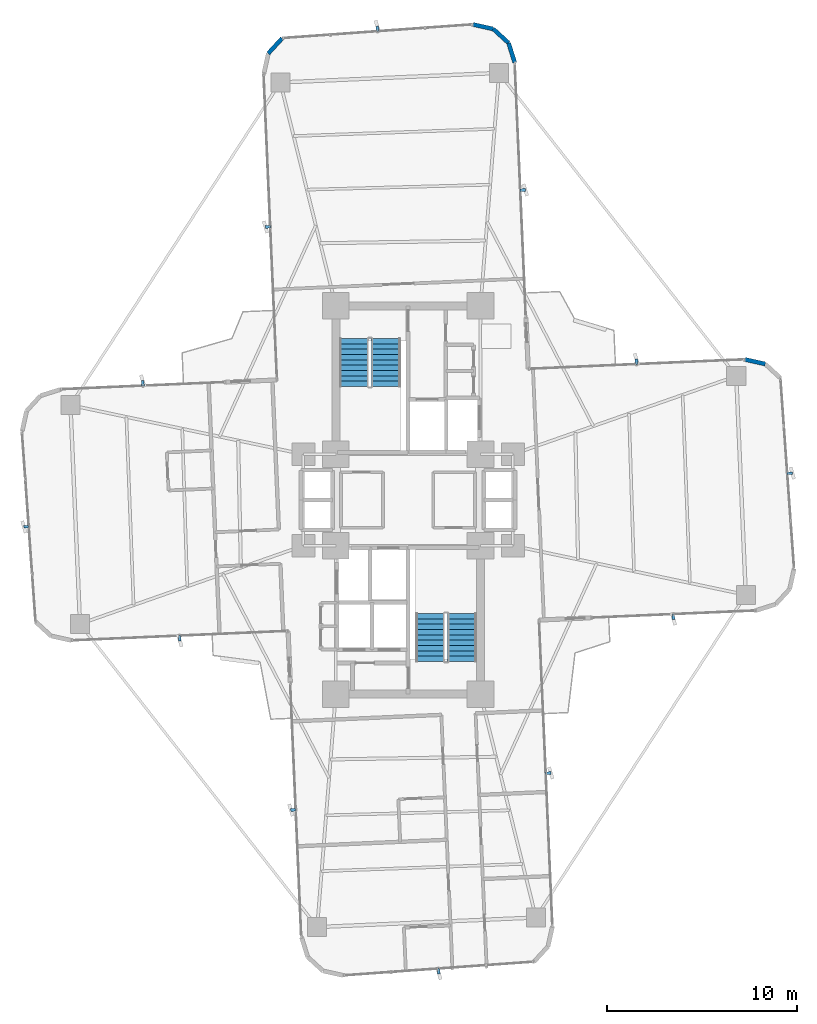
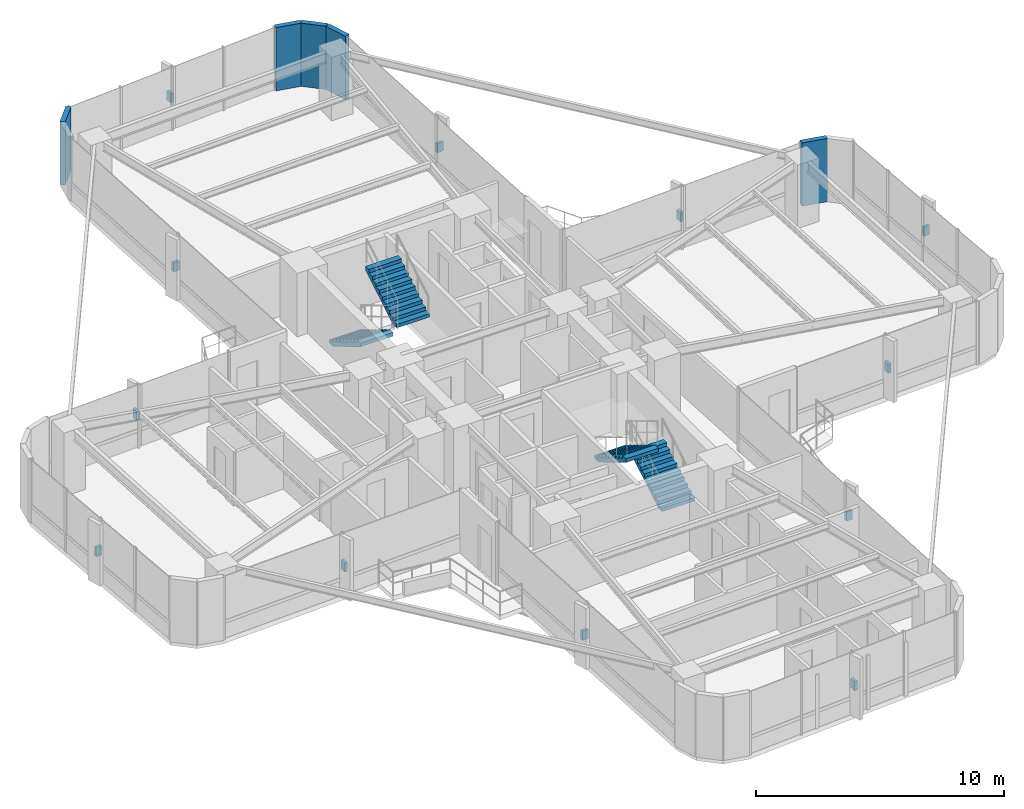
# One storey, part 25 of 26: 12 discrete accessories, 5 walls, 4 stair flights, 2 elements without a shape of their own.
"""IFC4 building model written with IfcOpenShell, lengths in metres."""

from ifc_helpers import new_model, si_unit, direction, frame, frame_2d, origin, origin_2d, place, context, subcontext, project, spatial, polyline, rectangle, outline, extrude, source, transform, mapped, material, layer, layer_set, type_object, element, aggregate, save


model = new_model("IFC4")

# Units and contexts
model_context = context("Model", 3, precision=1e-05, world=origin(), true_north=direction((0.0, 1.0)))
body_context = subcontext(model_context, "Body", "Model", "MODEL_VIEW")
ifc_project = project(units=[si_unit("LENGTHUNIT", "METRE"), si_unit("AREAUNIT", "SQUARE_METRE"), si_unit("VOLUMEUNIT", "CUBIC_METRE"), si_unit("PLANEANGLEUNIT", "RADIAN"), si_unit("MASSUNIT", "GRAM", prefix="KILO")], contexts=[model_context])

# Site, building, storey
site_placement = place(None, origin())
site = spatial("IfcSite", under=ifc_project, at=site_placement, CompositionType="ELEMENT")
building_placement = place(site_placement, origin())
building = spatial("IfcBuilding", under=site, at=building_placement, Name="Sahyath Konkavel Grand Hotel", CompositionType="ELEMENT")
storey_placement = place(building_placement, frame((0.0, 0.0, 121.5)))
storey = spatial("IfcBuildingStorey", under=building, at=storey_placement, Name="L33", CompositionType="ELEMENT", Elevation=121.5)

# Walls
ifc_material_1 = material(Name="Warm Buff Sandstone Insulated Concrete C40/50", Category="masonry")
ifc_layer = layer(ifc_material_1, 0.219970703125)
ifc_layer_set = layer_set([ifc_layer], Name="Warm Buff Sandstone Insulated Concrete C40/50")
wall_type = type_object("IfcWallType", Name="WLL-BALC-THRESH", PredefinedType="STANDARD", material=ifc_layer_set)
wall_1_placement = place(storey_placement, frame((18.75634765625, 7.1435546875, 0.0), z_axis=(0.0, 0.0, 1.0), x_axis=(-0.976282085775, 0.216502399514, 0.0)))
element("IfcWall", 1, at=wall_1_placement, inside=storey, type_object=wall_type, Name="L33 Rounded Corner Sandstone Pier 6", PredefinedType="STANDARD", context=body_context, shape_type="SweptSolid", body=[
    extrude(rectangle(XDim=1.087158203125, YDim=0.219970703125, at=frame_2d((0.54345703125, 0.0))), origin(), (0.0, 0.0, 1.0), 3.110107421875),
])
wall_2_placement = place(storey_placement, frame((5.603515625, 22.96630859375, 0.0), z_axis=(0.0, 0.0, 1.0), x_axis=(-0.300755105707, 0.953701403161, 0.0)))
element("IfcWall", 2, at=wall_2_placement, inside=storey, type_object=wall_type, Name="L33 Rounded Corner Sandstone Pier 9", PredefinedType="STANDARD", context=body_context, shape_type="SweptSolid", body=[
    extrude(rectangle(XDim=1.0869140625, YDim=0.219970703125, at=frame_2d((0.54345703125, 0.0))), origin(), (0.0, 0.0, 1.0), 3.110107421875),
])
wall_3_placement = place(storey_placement, frame((5.276611328125, 24.0029296875, 0.0), z_axis=(0.0, 0.0, 1.0), x_axis=(-0.737312600672, 0.675551721847, 0.0)))
element("IfcWall", 3, at=wall_3_placement, inside=storey, type_object=wall_type, Name="L33 Rounded Corner Sandstone Pier 10", PredefinedType="STANDARD", context=body_context, shape_type="SweptSolid", body=[
    extrude(rectangle(XDim=1.087158203125, YDim=0.219970703125, at=frame_2d((0.54345703125, 0.0))), origin(), (0.0, 0.0, 1.0), 3.110107421875),
])
for number, where, z_axis, x_axis, name in (
    (4, (4.47509765625, 24.7373046875, 0.0), (0.0, 0.0, 1.0), (-0.976271555154, 0.216549880158, 0.0), "L33 Rounded Corner Sandstone Pier 11"),
    (5, (-6.6142578125, 24.253173828125, 0.0), (0.0, 0.0, 1.0), (-0.675663596772, -0.737210081318, 0.0), "L33 Rounded Corner Sandstone Pier 13"),
):
    element("IfcWall", number, at=place(storey_placement, frame(where, z_axis=z_axis, x_axis=x_axis)), inside=storey, type_object=wall_type, Name=name, PredefinedType="STANDARD", context=body_context, shape_type="SweptSolid", body=[
        extrude(rectangle(XDim=1.0869140625, YDim=0.219970703125, at=frame_2d((0.54345703125, 0.0))), origin(), (0.0, 0.0, 1.0), 3.110107421875),
    ])

# Stair, stair flights
ifc_material_2 = material(Name="Concrete C40/50", Category="concrete")
stair_type = type_object("IfcStairType", Name="STR-ST16-335", PredefinedType="HALF_TURN_STAIR", material=ifc_material_2)
stair_1_placement = place(storey_placement, origin())
stair_1 = element("IfcStair", 6, at=stair_1_placement, inside=storey, type_object=stair_type, Name="L33 North Core Smokeproof Exit Stair ST-1", PredefinedType="HALF_TURN_STAIR")
stair_flight_type = type_object("IfcStairFlightType", Name="STF-ST16-335", PredefinedType="STRAIGHT", material=ifc_material_2)
stair_flight_1_placement = place(storey_placement, frame((-2.840087890625, 8.47998046875, 0.0), z_axis=(0.0, 0.0, 1.0), x_axis=(0.0, -1.0, 0.0)))
stair_flight_1 = element("IfcStairFlight", 7, at=stair_flight_1_placement, type_object=stair_flight_type, Name="ST-1 flight 1", NumberOfRisers=10, NumberOfTreads=9, PredefinedType="STRAIGHT", RiserHeight=0.1675, TreadLength=0.28, context=body_context, shape_type="SweptSolid", body=[
    extrude(outline(polyline([(0.0, 0.0), (0.0, 0.16748046875), (0.280029296875, 0.16748046875), (0.280029296875, 0.3349609375), (0.56005859375, 0.3349609375), (0.56005859375, 0.50244140625), (0.840087890625, 0.50244140625), (0.840087890625, 0.669921875), (1.1201171875, 0.669921875), (1.1201171875, 0.83740234375), (1.39990234375, 0.83740234375), (1.39990234375, 1.0048828125), (1.679931640625, 1.0048828125), (1.679931640625, 1.172607421875), (1.9599609375, 1.172607421875), (1.9599609375, 1.340087890625), (2.239990234375, 1.340087890625), (2.239990234375, 1.507568359375), (2.52001953125, 1.507568359375), (2.52001953125, 1.675048828125), (2.52001953125, 1.332763671875), (0.2919921875, 0.0), (0.0, 0.0)])), frame((0.0, 0.760009765625, 0.0), z_axis=(0.0, -1.0, 0.0), x_axis=(1.0, 0.0, 0.0)), (0.0, 0.0, 1.0), 1.52001953125),
])
stair_flight_2_placement = place(storey_placement, frame((-1.159912109375, 5.9599609375, 1.675048828125), z_axis=(0.0, 0.0, 1.0), x_axis=(0.0, 1.0, 0.0)))
stair_flight_2 = element("IfcStairFlight", 8, at=stair_flight_2_placement, type_object=stair_flight_type, Name="ST-1 flight 2", NumberOfRisers=10, NumberOfTreads=9, PredefinedType="STRAIGHT", RiserHeight=0.1675, TreadLength=0.28, context=body_context, shape_type="SweptSolid", body=[
    extrude(outline(polyline([(0.0, 0.0), (0.0, 0.16748046875), (0.280029296875, 0.16748046875), (0.280029296875, 0.3349609375), (0.56005859375, 0.3349609375), (0.56005859375, 0.50244140625), (0.840087890625, 0.50244140625), (0.840087890625, 0.669921875), (1.1201171875, 0.669921875), (1.1201171875, 0.83740234375), (1.39990234375, 0.83740234375), (1.39990234375, 1.0048828125), (1.679931640625, 1.0048828125), (1.679931640625, 1.172607421875), (1.9599609375, 1.172607421875), (1.9599609375, 1.340087890625), (2.239990234375, 1.340087890625), (2.239990234375, 1.507568359375), (2.52001953125, 1.507568359375), (2.52001953125, 1.675048828125), (2.52001953125, 1.332763671875), (0.2919921875, 0.0), (0.0, 0.0)])), frame((0.0, 0.760009765625, 0.0), z_axis=(0.0, -1.0, 0.0), x_axis=(1.0, 0.0, 0.0)), (0.0, 0.0, 1.0), 1.52001953125),
])
aggregate(stair_1, [stair_flight_1, stair_flight_2])

stair_2_placement = place(storey_placement, origin())
stair_2 = element("IfcStair", 9, at=stair_2_placement, inside=storey, type_object=stair_type, Name="L33 South Core Smokeproof Exit Stair ST-2", PredefinedType="HALF_TURN_STAIR")
stair_flight_3_placement = place(storey_placement, frame((2.840087890625, -8.47998046875, 0.0), z_axis=(0.0, 0.0, 1.0), x_axis=(0.0, 1.0, 0.0)))
stair_flight_3 = element("IfcStairFlight", 10, at=stair_flight_3_placement, type_object=stair_flight_type, Name="ST-2 flight 1", NumberOfRisers=10, NumberOfTreads=9, PredefinedType="STRAIGHT", RiserHeight=0.1675, TreadLength=0.28, context=body_context, shape_type="SweptSolid", body=[
    extrude(outline(polyline([(0.0, 0.0), (0.0, 0.16748046875), (0.280029296875, 0.16748046875), (0.280029296875, 0.3349609375), (0.56005859375, 0.3349609375), (0.56005859375, 0.50244140625), (0.840087890625, 0.50244140625), (0.840087890625, 0.669921875), (1.1201171875, 0.669921875), (1.1201171875, 0.83740234375), (1.39990234375, 0.83740234375), (1.39990234375, 1.0048828125), (1.679931640625, 1.0048828125), (1.679931640625, 1.172607421875), (1.9599609375, 1.172607421875), (1.9599609375, 1.340087890625), (2.239990234375, 1.340087890625), (2.239990234375, 1.507568359375), (2.52001953125, 1.507568359375), (2.52001953125, 1.675048828125), (2.52001953125, 1.332763671875), (0.2919921875, 0.0), (0.0, 0.0)])), frame((0.0, 0.760009765625, 0.0), z_axis=(0.0, -1.0, 0.0), x_axis=(1.0, 0.0, 0.0)), (0.0, 0.0, 1.0), 1.52001953125),
])
stair_flight_4_placement = place(storey_placement, frame((1.159912109375, -5.9599609375, 1.675048828125), z_axis=(0.0, 0.0, 1.0), x_axis=(0.0, -1.0, 0.0)))
stair_flight_4 = element("IfcStairFlight", 11, at=stair_flight_4_placement, type_object=stair_flight_type, Name="ST-2 flight 2", NumberOfRisers=10, NumberOfTreads=9, PredefinedType="STRAIGHT", RiserHeight=0.1675, TreadLength=0.28, context=body_context, shape_type="SweptSolid", body=[
    extrude(outline(polyline([(0.0, 0.0), (0.0, 0.16748046875), (0.280029296875, 0.16748046875), (0.280029296875, 0.3349609375), (0.56005859375, 0.3349609375), (0.56005859375, 0.50244140625), (0.840087890625, 0.50244140625), (0.840087890625, 0.669921875), (1.1201171875, 0.669921875), (1.1201171875, 0.83740234375), (1.39990234375, 0.83740234375), (1.39990234375, 1.0048828125), (1.679931640625, 1.0048828125), (1.679931640625, 1.172607421875), (1.9599609375, 1.172607421875), (1.9599609375, 1.340087890625), (2.239990234375, 1.340087890625), (2.239990234375, 1.507568359375), (2.52001953125, 1.507568359375), (2.52001953125, 1.675048828125), (2.52001953125, 1.332763671875), (0.2919921875, 0.0), (0.0, 0.0)])), frame((0.0, 0.760009765625, 0.0), z_axis=(0.0, -1.0, 0.0), x_axis=(1.0, 0.0, 0.0)), (0.0, 0.0, 1.0), 1.52001953125),
])
aggregate(stair_2, [stair_flight_3, stair_flight_4])

# Discrete accessories
ifc_material_3 = material(Name="Steel E350", Category="steel")
discrete_accessory_type = type_object("IfcDiscreteAccessoryType", Name="ACC-FIN-BRACKET", PredefinedType="BRACKET", material=ifc_material_3)
shared_shape = source(origin(), body_context, "Body", "SweptSolid", [
    extrude(rectangle(XDim=0.280029296875, YDim=0.139892578125, at=origin_2d()), origin(), (0.0, 0.0, 1.0), 0.449951171875),
])
for number, where, z_axis, x_axis, name in (
    (12, (13.9306640625, -6.128173828125, 1.330078125), (0.0, 0.0, 1.0), (0.043601950678, -0.999048982732, 0.0), "L33 Fin Support Bracket F0-1"),
    (13, (20.047119140625, 1.404296875, 1.330078125), (0.0, 0.0, 1.0), (0.997435789037, 0.071567078661, 0.0), "L33 Fin Support Bracket F4-2"),
    (14, (11.99462890625, 7.26025390625, 1.330078125), (0.0, 0.0, 1.0), (-0.043619387365, 0.999048221582, 0.0), "L33 Fin Support Bracket F7-1"),
    (15, (6.025634765625, 16.2783203125, 1.330078125), (0.0, 0.0, 1.0), (0.999048221582, 0.043619387365, 0.0), "L33 Fin Support Bracket F8-1"),
    (16, (-1.609375, 24.74267578125, 1.330078125), (0.0, 0.0, 1.0), (-0.071567078661, 0.997435789037, 0.0), "L33 Fin Support Bracket F12-2"),
    (17, (-7.362548828125, 14.342529296875, 1.330078125), (0.0, 0.0, 1.0), (-0.999048221582, -0.043619387365, 0.0), "L33 Fin Support Bracket F15-1"),
    (18, (-13.9306640625, 6.128173828125, 1.330078125), (0.0, 0.0, 1.0), (-0.043601950678, 0.999048982732, 0.0), "L33 Fin Support Bracket F16-1"),
    (19, (-20.047119140625, -1.404296875, 1.330078125), (0.0, 0.0, 1.0), (-0.997435789037, -0.071567078661, 0.0), "L33 Fin Support Bracket F20-2"),
    (20, (-11.99462890625, -7.26025390625, 1.330078125), (0.0, 0.0, 1.0), (0.043619387365, -0.999048221582, 0.0), "L33 Fin Support Bracket F23-1"),
    (21, (-6.025634765625, -16.2783203125, 1.330078125), (0.0, 0.0, 1.0), (-0.999048221582, -0.043619387365, 0.0), "L33 Fin Support Bracket F24-1"),
    (22, (1.609375, -24.74267578125, 1.330078125), (0.0, 0.0, 1.0), (0.071567078661, -0.997435789037, 0.0), "L33 Fin Support Bracket F28-2"),
    (23, (7.362548828125, -14.342529296875, 1.330078125), (0.0, 0.0, 1.0), (0.999048221582, 0.043619387365, 0.0), "L33 Fin Support Bracket F31-1"),
):
    element("IfcDiscreteAccessory", number, at=place(storey_placement, frame(where, z_axis=z_axis, x_axis=x_axis)), inside=storey, type_object=discrete_accessory_type, Name=name, PredefinedType="BRACKET", context=body_context, shape_type="MappedRepresentation", body=[
        mapped(shared_shape, transform((0.0, 0.0, 0.0), scale=1.0)),
    ])

save(model, "model.ifc")
